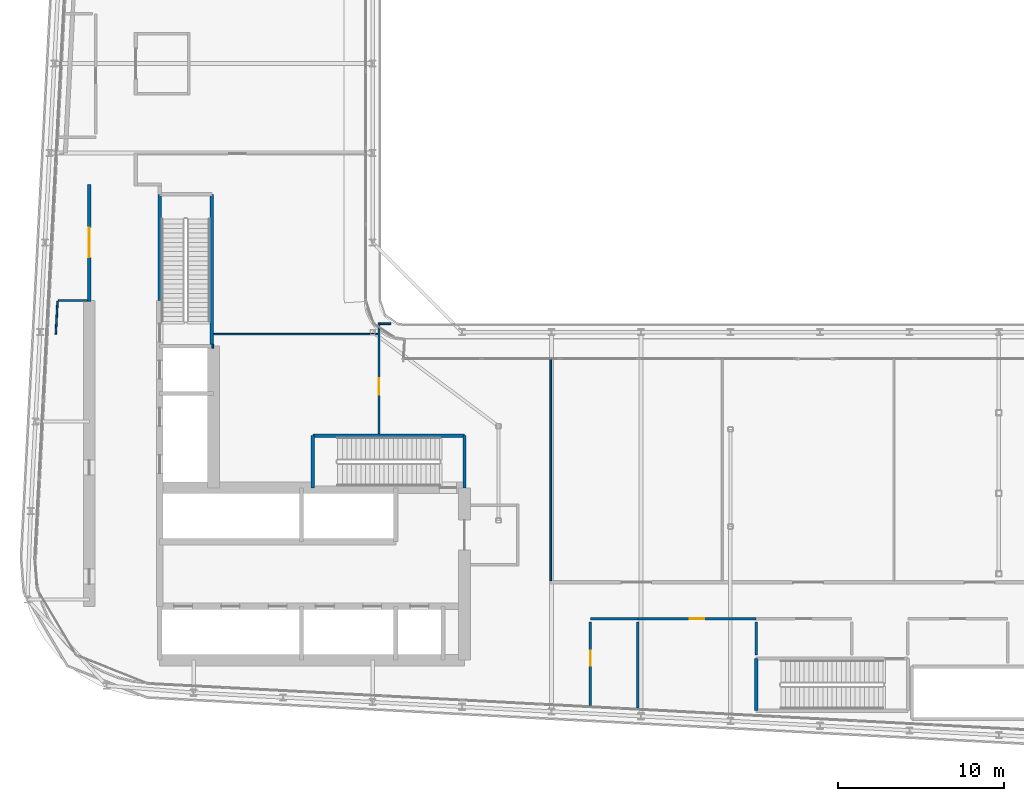
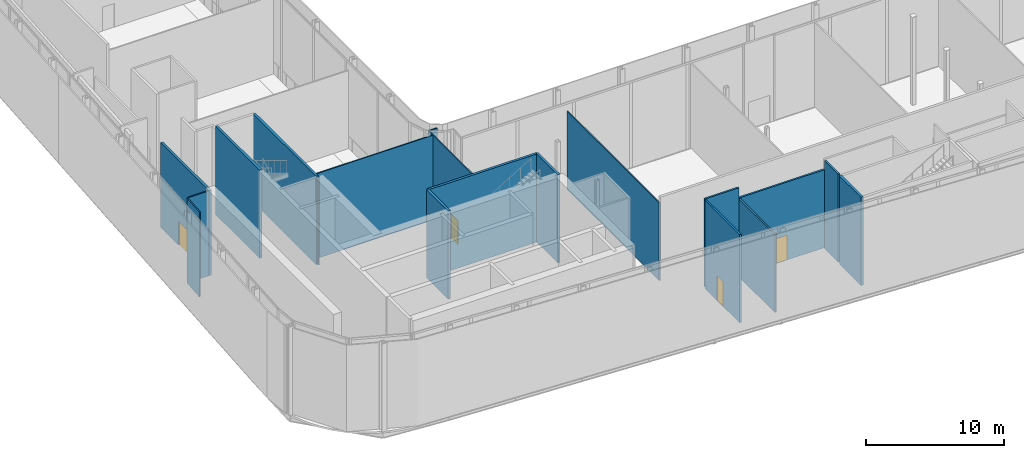
# One storey, part 27 of 38: 19 walls, 4 doors, 4 openings.
"""IFC4 building model written with IfcOpenShell, lengths in metres."""

from ifc_helpers import new_model, si_unit, direction, frame, frame_2d, origin, place, context, subcontext, project, spatial, rectangle, extrude, source, transform, mapped, material, layer, layer_set, type_object, element, fill, save


model = new_model("IFC4")

# Units and contexts
model_context = context("Model", 3, precision=1e-05, world=origin(), true_north=direction((0.0, 1.0)))
body_context = subcontext(model_context, "Body", "Model", "MODEL_VIEW")
ifc_project = project(units=[si_unit("LENGTHUNIT", "METRE"), si_unit("AREAUNIT", "SQUARE_METRE"), si_unit("VOLUMEUNIT", "CUBIC_METRE"), si_unit("PLANEANGLEUNIT", "RADIAN"), si_unit("MASSUNIT", "GRAM", prefix="KILO")], contexts=[model_context])

# Site, building, storey
site_placement = place(None, origin())
site = spatial("IfcSite", under=ifc_project, at=site_placement, CompositionType="ELEMENT")
building_placement = place(site_placement, origin())
building = spatial("IfcBuilding", under=site, at=building_placement, Name="Kheshtan School and Residences Tower", CompositionType="ELEMENT")
storey_placement = place(building_placement, frame((0.0, 0.0, 203.300048828125)))
storey = spatial("IfcBuildingStorey", under=building, at=storey_placement, Name="L48", CompositionType="ELEMENT", Elevation=203.300048828125)

# Wall, opening, door
ifc_material_1 = material(Name="Gypsum board on steel studs with fire boards", Category="steel")
ifc_layer_1 = layer(ifc_material_1, 0.199951171875)
ifc_layer_set_1 = layer_set([ifc_layer_1], Name="Corridor wall 200")
wall_type_1 = type_object("IfcWallType", Name="Corridor wall 200", PredefinedType="PARTITIONING", material=ifc_layer_set_1)
wall_1_placement = place(storey_placement, frame((30.5, 47.449951171875, 0.0), z_axis=(0.0, 0.0, 1.0), x_axis=(0.0, 1.0, 0.0)))
wall_1 = element("IfcWall", 1, at=wall_1_placement, inside=storey, type_object=wall_type_1, Name="Partition L48-007", PredefinedType="PARTITIONING", context=body_context, shape_type="SweptSolid", body=[
    extrude(rectangle(XDim=7.050048828125, YDim=0.199951171875, at=frame_2d((3.52490234375, 0.0))), origin(), (0.0, 0.0, 1.0), 7.5),
])
opening_1_placement = place(wall_1_placement, frame((2.64990234375, 0.0, 0.0)))
opening_1 = element("IfcOpeningElement", 2, at=opening_1_placement, cuts=wall_1, Name="Opening D48-006", PredefinedType="OPENING", context=body_context, shape_type="SweptSolid", body=[
    extrude(rectangle(XDim=1.800048828125, YDim=2.10009765625, at=frame_2d((0.89990234375, 1.050048828125))), frame((0.0, 0.10986328125, 0.0), z_axis=(0.0, -1.0, 0.0), x_axis=(1.0, 0.0, 0.0)), (0.0, 0.0, 1.0), 0.219970703125),
])
ifc_material_2 = material(Name="Steel-framed fire-resisting door leaf", Category="steel")
door_type_1 = type_object("IfcDoorType", Name="Fire double door FD60 1800 x 2100", OperationType="DOUBLE_DOOR_SINGLE_SWING", PredefinedType="DOOR", material=ifc_material_2)
shared_shape_1 = source(origin(), body_context, "Body", "SweptSolid", [
    extrude(rectangle(XDim=1.800048828125, YDim=2.10009765625, at=frame_2d((0.89990234375, 1.050048828125))), frame((0.0, 0.02490234375, 0.0), z_axis=(0.0, -1.0, 0.0), x_axis=(1.0, 0.0, 0.0)), (0.0, 0.0, 1.0), 0.050048828125),
])
door_1_placement = place(opening_1_placement, origin())
door_1 = element("IfcDoor", 3, at=door_1_placement, inside=storey, type_object=door_type_1, Name="Door D48-006", OperationType="DOUBLE_DOOR_SINGLE_SWING", OverallHeight=2.10009765625, OverallWidth=1.800048828125, PredefinedType="DOOR", context=body_context, shape_type="MappedRepresentation", body=[
    mapped(shared_shape_1, transform((0.0, 0.0, 0.0), x_axis=(1.0, 0.0, 0.0), y_axis=(0.0, 1.0, 0.0), z_axis=(0.0, 0.0, 1.0), scale=1.0)),
])
fill(opening_1, door_1)

# Walls
ifc_material_3 = material(Name="Gypsum board on steel studs", Category="steel")
ifc_layer_2 = layer(ifc_material_3, 0.10009765625)
ifc_layer_set_2 = layer_set([ifc_layer_2], Name="Gypsum partition 100")
wall_type_2 = type_object("IfcWallType", Name="Gypsum partition 100", PredefinedType="PARTITIONING", material=ifc_layer_set_2)
wall_2_placement = place(storey_placement, frame((28.47998046875, 45.472900390625, 0.0), z_axis=(0.0, 0.0, 1.0), x_axis=(0.052532943397, 0.998619191613, 0.0)))
element("IfcWall", 4, at=wall_2_placement, inside=storey, type_object=wall_type_2, Name="Partition L48-001", PredefinedType="PARTITIONING", context=body_context, shape_type="SweptSolid", body=[
    extrude(rectangle(XDim=1.979736328125, YDim=0.10009765625, at=frame_2d((0.98974609375, 0.0))), origin(), (0.0, 0.0, 1.0), 7.5),
])
wall_3_placement = place(storey_placement, frame((28.637939453125, 47.5, 0.0), z_axis=(0.0, 0.0, 1.0), x_axis=(1.0, 0.0, 0.0)))
element("IfcWall", 5, at=wall_3_placement, inside=storey, type_object=wall_type_2, Name="Partition L48-002", PredefinedType="PARTITIONING", context=body_context, shape_type="SweptSolid", body=[
    extrude(rectangle(XDim=1.761962890625, YDim=0.10009765625, at=frame_2d((0.880859375, 0.0))), origin(), (0.0, 0.0, 1.0), 7.5),
])
wall_4_placement = place(storey_placement, frame((37.9990234375, 45.472900390625, 0.0), z_axis=(0.0, 0.0, 1.0), x_axis=(1.0, 0.0, 0.0)))
element("IfcWall", 6, at=wall_4_placement, inside=storey, type_object=wall_type_2, Name="Partition L48-023", PredefinedType="PARTITIONING", context=body_context, shape_type="SweptSolid", body=[
    extrude(rectangle(XDim=9.94091796875, YDim=0.10009765625, at=frame_2d((4.970458984375, 0.0))), origin(), (0.0, 0.0, 1.0), 7.5),
])

# Wall, opening, door
wall_5_placement = place(storey_placement, frame((47.989990234375, 39.448974609375, 0.0), z_axis=(0.0, 0.0, 1.0), x_axis=(0.0, 1.0, 0.0)))
wall_5 = element("IfcWall", 7, at=wall_5_placement, inside=storey, type_object=wall_type_2, Name="Partition L48-024", PredefinedType="PARTITIONING", context=body_context, shape_type="SweptSolid", body=[
    extrude(rectangle(XDim=6.700927734375, YDim=0.10009765625, at=frame_2d((3.3505859375, 0.0))), origin(), (0.0, 0.0, 1.0), 7.5),
])
opening_2_placement = place(wall_5_placement, frame((2.3740234375, 0.0, 0.0)))
opening_2 = element("IfcOpeningElement", 8, at=opening_2_placement, cuts=wall_5, Name="Opening D48-008", PredefinedType="OPENING", context=body_context, shape_type="SweptSolid", body=[
    extrude(rectangle(XDim=1.0, YDim=2.10009765625, at=frame_2d((0.5, 1.050048828125))), frame((0.0, 0.06005859375, 0.0), z_axis=(0.0, -1.0, 0.0), x_axis=(1.0, 0.0, 0.0)), (0.0, 0.0, 1.0), 0.1201171875),
])
ifc_material_4 = material(Name="Veneered timber door leaf", Category="wood")
door_type_2 = type_object("IfcDoorType", Name="Door 1000 x 2100", OperationType="SINGLE_SWING_LEFT", PredefinedType="DOOR", material=ifc_material_4)
shared_shape_2 = source(origin(), body_context, "Body", "SweptSolid", [
    extrude(rectangle(XDim=1.0, YDim=2.10009765625, at=frame_2d((0.5, 1.050048828125))), frame((0.0, 0.02490234375, 0.0), z_axis=(0.0, -1.0, 0.0), x_axis=(1.0, 0.0, 0.0)), (0.0, 0.0, 1.0), 0.050048828125),
])
door_2_placement = place(opening_2_placement, origin())
door_2 = element("IfcDoor", 9, at=door_2_placement, inside=storey, type_object=door_type_2, Name="Door D48-008", OperationType="SINGLE_SWING_RIGHT", OverallHeight=2.10009765625, OverallWidth=1.0, PredefinedType="DOOR", context=body_context, shape_type="MappedRepresentation", body=[
    mapped(shared_shape_2, transform((0.0, 0.0, 0.0), x_axis=(1.0, 0.0, 0.0), y_axis=(0.0, 1.0, 0.0), z_axis=(0.0, 0.0, 1.0), scale=1.0)),
])
fill(opening_2, door_2)

# Walls
wall_6_placement = place(storey_placement, frame((48.0400390625, 46.10009765625, 0.0), z_axis=(0.0, 0.0, 1.0), x_axis=(1.0, 0.0, 0.0)))
element("IfcWall", 10, at=wall_6_placement, inside=storey, type_object=wall_type_2, Name="Partition L48-025", PredefinedType="PARTITIONING", context=body_context, shape_type="SweptSolid", body=[
    extrude(rectangle(XDim=0.64404296875, YDim=0.10009765625, at=frame_2d((0.322021484375, 0.0))), origin(), (0.0, 0.0, 1.0), 7.5),
])
wall_7_placement = place(storey_placement, frame((58.347900390625, 30.60009765625, 0.0), z_axis=(0.0, 0.0, 1.0), x_axis=(0.0, 1.0, 0.0)))
element("IfcWall", 11, at=wall_7_placement, inside=storey, type_object=wall_type_2, Name="Partition L48-030", PredefinedType="PARTITIONING", context=body_context, shape_type="SweptSolid", body=[
    extrude(rectangle(XDim=13.369873046875, YDim=0.10009765625, at=frame_2d((6.68505859375, 0.0))), origin(), (0.0, 0.0, 1.0), 6.89697265625),
])
ifc_material_5 = material(Name="Fire-board shaft wall system")
ifc_layer_3 = layer(ifc_material_5, 0.14990234375)
ifc_layer_set_3 = layer_set([ifc_layer_3], Name="Service room wall 150")
wall_type_3 = type_object("IfcWallType", Name="Service room wall 150", PredefinedType="PARTITIONING", material=ifc_layer_set_3)
wall_8_placement = place(storey_placement, frame((60.75, 28.300048828125, 0.0), z_axis=(0.0, 0.0, 1.0), x_axis=(1.0, 0.0, 0.0)))
element("IfcWall", 12, at=wall_8_placement, inside=storey, type_object=wall_type_3, Name="Service room wall", PredefinedType="PARTITIONING", context=body_context, shape_type="SweptSolid", body=[
    extrude(rectangle(XDim=2.861083984375, YDim=0.14990234375, at=frame_2d((1.4306640625, 0.0))), origin(), (0.0, 0.0, 1.0), 7.800048828125),
])

# Wall, opening, door
wall_9_placement = place(storey_placement, frame((60.75, 23.074951171875, 0.0), z_axis=(0.0, 0.0, 1.0), x_axis=(0.0, 1.0, 0.0)))
wall_9 = element("IfcWall", 13, at=wall_9_placement, inside=storey, type_object=wall_type_3, Name="Service room wall", PredefinedType="PARTITIONING", context=body_context, shape_type="SweptSolid", body=[
    extrude(rectangle(XDim=5.030029296875, YDim=0.14990234375, at=frame_2d((2.51513671875, 0.0))), origin(), (0.0, 0.0, 1.0), 7.800048828125),
])
opening_3_placement = place(wall_9_placement, frame((2.386962890625, 0.0, 0.0)))
opening_3 = element("IfcOpeningElement", 14, at=opening_3_placement, cuts=wall_9, Name="Opening SR90", PredefinedType="OPENING", context=body_context, shape_type="SweptSolid", body=[
    extrude(rectangle(XDim=0.89990234375, YDim=2.199951171875, at=frame_2d((0.449951171875, 1.10009765625))), frame((0.0, 0.0849609375, 0.0), z_axis=(0.0, -1.0, 0.0), x_axis=(1.0, 0.0, 0.0)), (0.0, 0.0, 1.0), 0.169921875),
])
ifc_material_6 = material(Name="Steel door leaf, galvanised", Category="steel")
door_type_3 = type_object("IfcDoorType", Name="Service room door 900 steel 90 min", OperationType="SINGLE_SWING_LEFT", PredefinedType="DOOR", material=ifc_material_6)
shared_shape_3 = source(origin(), body_context, "Body", "SweptSolid", [
    extrude(rectangle(XDim=0.89990234375, YDim=2.199951171875, at=frame_2d((0.449951171875, 1.10009765625))), frame((0.0, 0.02490234375, 0.0), z_axis=(0.0, -1.0, 0.0), x_axis=(1.0, 0.0, 0.0)), (0.0, 0.0, 1.0), 0.050048828125),
])
door_3_placement = place(opening_3_placement, origin())
door_3 = element("IfcDoor", 15, at=door_3_placement, inside=storey, type_object=door_type_3, Name="Service room door", OperationType="SINGLE_SWING_LEFT", OverallHeight=2.199951171875, OverallWidth=0.89990234375, PredefinedType="DOOR", context=body_context, shape_type="MappedRepresentation", body=[
    mapped(shared_shape_3, transform((0.0, 0.0, 0.0), x_axis=(1.0, 0.0, 0.0), y_axis=(0.0, 1.0, 0.0), z_axis=(0.0, 0.0, 1.0), scale=1.0)),
])
fill(opening_3, door_3)

# Wall
wall_10_placement = place(storey_placement, frame((63.611083984375, 22.924072265625, 0.0), z_axis=(0.0, 0.0, 1.0), x_axis=(0.0, 1.0, 0.0)))
element("IfcWall", 16, at=wall_10_placement, inside=storey, type_object=wall_type_3, Name="Service room wall", PredefinedType="PARTITIONING", context=body_context, shape_type="SweptSolid", body=[
    extrude(rectangle(XDim=5.180908203125, YDim=0.14990234375, at=frame_2d((2.59033203125, 0.0))), origin(), (0.0, 0.0, 1.0), 6.89697265625),
])

# Wall, opening, door
wall_11_placement = place(storey_placement, frame((63.611083984375, 28.300048828125, 0.0), z_axis=(0.0, 0.0, 1.0), x_axis=(1.0, 0.0, 0.0)))
wall_11 = element("IfcWall", 17, at=wall_11_placement, inside=storey, type_object=wall_type_3, Name="Service room wall", PredefinedType="PARTITIONING", context=body_context, shape_type="SweptSolid", body=[
    extrude(rectangle(XDim=7.138916015625, YDim=0.14990234375, at=frame_2d((3.5693359375, 0.0))), origin(), (0.0, 0.0, 1.0), 6.89697265625),
])
opening_4_placement = place(wall_11_placement, frame((3.118896484375, 0.0, 0.0)))
opening_4 = element("IfcOpeningElement", 18, at=opening_4_placement, cuts=wall_11, Name="Opening SR90", PredefinedType="OPENING", context=body_context, shape_type="SweptSolid", body=[
    extrude(rectangle(XDim=0.89990234375, YDim=2.199951171875, at=frame_2d((0.449951171875, 1.10009765625))), frame((0.0, 0.0849609375, 0.0), z_axis=(0.0, -1.0, 0.0), x_axis=(1.0, 0.0, 0.0)), (0.0, 0.0, 1.0), 0.169921875),
])
door_4_placement = place(opening_4_placement, origin())
door_4 = element("IfcDoor", 19, at=door_4_placement, inside=storey, type_object=door_type_3, Name="Service room door", OperationType="SINGLE_SWING_RIGHT", OverallHeight=2.199951171875, OverallWidth=0.89990234375, PredefinedType="DOOR", context=body_context, shape_type="MappedRepresentation", body=[
    mapped(shared_shape_3, transform((0.0, 0.0, 0.0), x_axis=(1.0, 0.0, 0.0), y_axis=(0.0, 1.0, 0.0), z_axis=(0.0, 0.0, 1.0), scale=1.0)),
])
fill(opening_4, door_4)

# Walls
wall_12_placement = place(storey_placement, frame((70.75, 26.1201171875, 0.0), z_axis=(0.0, 0.0, 1.0), x_axis=(0.0, 1.0, 0.0)))
element("IfcWall", 20, at=wall_12_placement, inside=storey, type_object=wall_type_3, Name="Service room wall", PredefinedType="PARTITIONING", context=body_context, shape_type="SweptSolid", body=[
    extrude(rectangle(XDim=1.98486328125, YDim=0.14990234375, at=frame_2d((0.992431640625, 0.0))), origin(), (0.0, 0.0, 1.0), 7.800048828125),
])
ifc_layer_4 = layer(ifc_material_5, 0.25)
ifc_layer_set_4 = layer_set([ifc_layer_4], Name="Shaft lining wall 250")
wall_type_4 = type_object("IfcWallType", Name="Shaft lining wall 250", PredefinedType="PARTITIONING", material=ifc_layer_set_4)
wall_13_placement = place(storey_placement, frame((37.89990234375, 44.75, 0.0), z_axis=(0.0, 0.0, 1.0), x_axis=(1.0, 0.0, 0.0)))
element("IfcWall", 21, at=wall_13_placement, inside=storey, type_object=wall_type_4, Name="Shaft lining wall", PredefinedType="PARTITIONING", context=body_context, shape_type="SweptSolid", body=[
    extrude(rectangle(XDim=0.10009765625, YDim=0.25, at=frame_2d((0.050048828125, 0.0))), origin(), (0.0, 0.0, 1.0), 7.800048828125),
])
ifc_material_7 = material(Name="Concrete C40/50", Category="concrete")
ifc_layer_5 = layer(ifc_material_7, 0.199951171875)
ifc_layer_set_5 = layer_set([ifc_layer_5], Name="Stair enclosure wall 200 Concrete C40/50")
wall_type_5 = type_object("IfcWallType", Name="Stair enclosure wall 200 Concrete C40/50", PredefinedType="SHEAR", material=ifc_layer_set_5)
wall_14_placement = place(storey_placement, frame((43.989990234375, 39.35009765625, 0.0), z_axis=(0.0, 0.0, 1.0), x_axis=(1.0, 0.0, 0.0)))
element("IfcWall", 22, at=wall_14_placement, inside=storey, type_object=wall_type_5, Name="Stair enclosure wall ST1", PredefinedType="SHEAR", context=body_context, shape_type="SweptSolid", body=[
    extrude(rectangle(XDim=9.159912109375, YDim=0.199951171875, at=frame_2d((4.580078125, 0.0))), origin(), (0.0, 0.0, 1.0), 7.800048828125),
])
for number, where, z_axis, x_axis, name in (
    (23, (43.989990234375, 36.199951171875, 0.0), (0.0, 0.0, 1.0), (0.0, 1.0, 0.0), "Stair enclosure wall ST1"),
    (24, (53.14990234375, 36.199951171875, 0.0), (0.0, 0.0, 1.0), (0.0, 1.0, 0.0), "Stair enclosure wall ST1"),
):
    element("IfcWall", number, at=place(storey_placement, frame(where, z_axis=z_axis, x_axis=x_axis)), inside=storey, type_object=wall_type_5, Name=name, PredefinedType="SHEAR", context=body_context, shape_type="SweptSolid", body=[
        extrude(rectangle(XDim=3.150146484375, YDim=0.199951171875, at=frame_2d((1.5751953125, 0.0))), origin(), (0.0, 0.0, 1.0), 7.800048828125),
    ])
wall_15_placement = place(storey_placement, frame((34.75, 47.5, 0.0), z_axis=(0.0, 0.0, 1.0), x_axis=(0.0, 1.0, 0.0)))
element("IfcWall", 25, at=wall_15_placement, inside=storey, type_object=wall_type_5, Name="Stair enclosure wall ST2", PredefinedType="SHEAR", context=body_context, shape_type="SweptSolid", body=[
    extrude(rectangle(XDim=6.409912109375, YDim=0.199951171875, at=frame_2d((3.205078125, 0.0))), origin(), (0.0, 0.0, 1.0), 7.800048828125),
])
wall_16_placement = place(storey_placement, frame((37.89990234375, 44.75, 0.0), z_axis=(0.0, 0.0, 1.0), x_axis=(0.0, 1.0, 0.0)))
element("IfcWall", 26, at=wall_16_placement, inside=storey, type_object=wall_type_5, Name="Stair enclosure wall ST2", PredefinedType="SHEAR", context=body_context, shape_type="SweptSolid", body=[
    extrude(rectangle(XDim=9.159912109375, YDim=0.199951171875, at=frame_2d((4.580078125, 0.0))), origin(), (0.0, 0.0, 1.0), 7.800048828125),
])
wall_17_placement = place(storey_placement, frame((70.75, 22.75, 0.0), z_axis=(0.0, 0.0, 1.0), x_axis=(0.0, 1.0, 0.0)))
element("IfcWall", 27, at=wall_17_placement, inside=storey, type_object=wall_type_5, Name="Stair enclosure wall ST5", PredefinedType="SHEAR", context=body_context, shape_type="SweptSolid", body=[
    extrude(rectangle(XDim=3.14990234375, YDim=0.199951171875, at=frame_2d((1.574951171875, 0.0))), origin(), (0.0, 0.0, 1.0), 7.800048828125),
])

save(model, "model.ifc")
